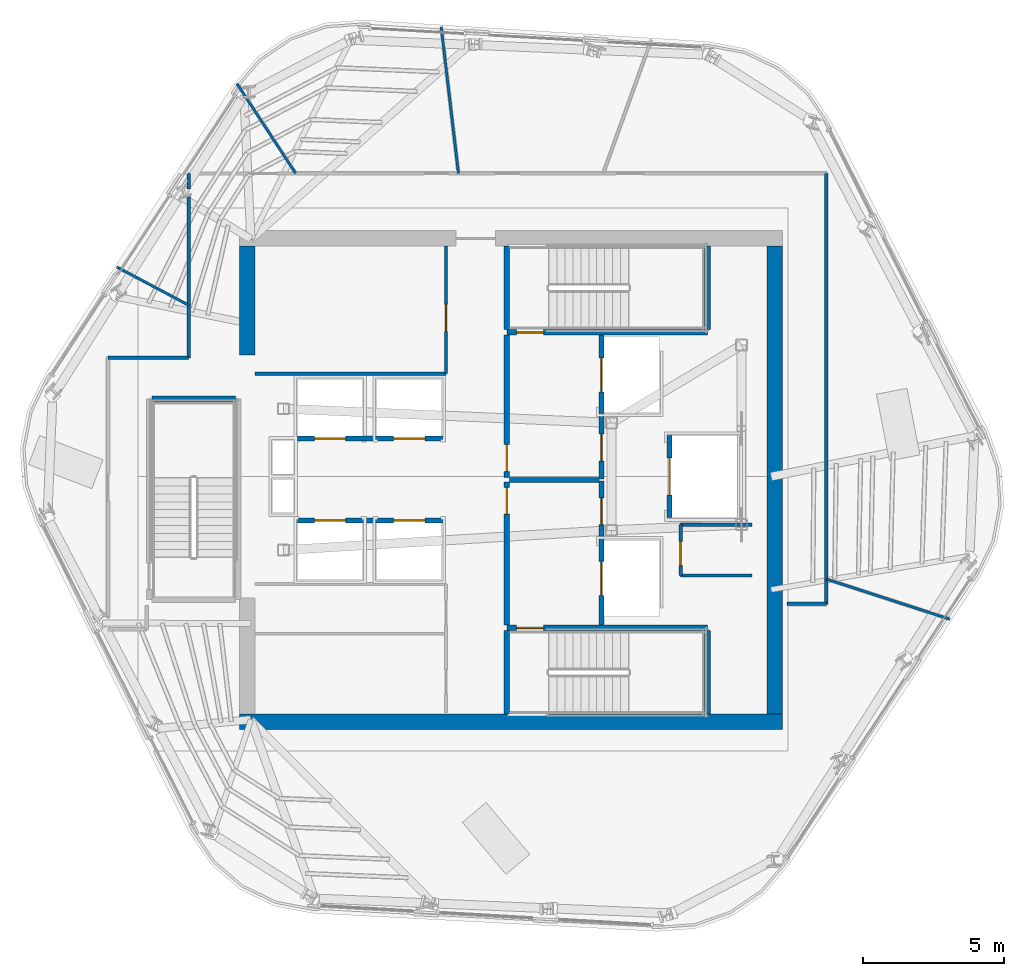
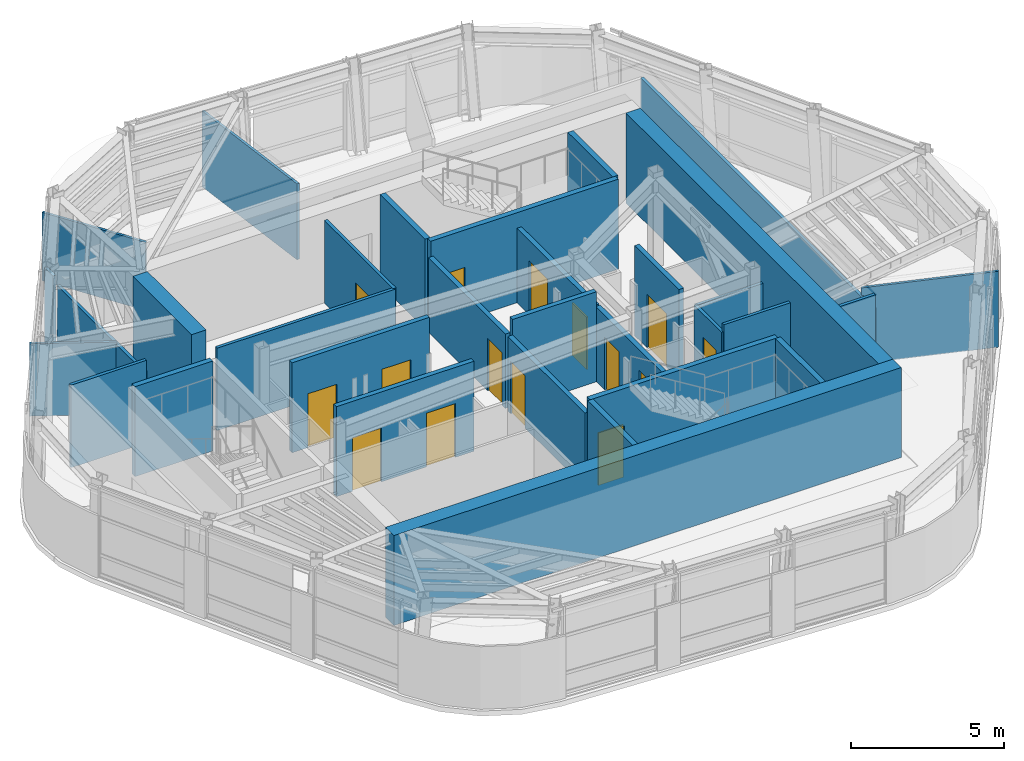
# One storey, part 7 of 13: 32 walls, 15 doors, 15 openings.
"""IFC4 building model written with IfcOpenShell, lengths in metres."""

import ifcopenshell
import ifcopenshell.guid

model = None  # the IFC model being written
_history = None  # IfcOwnerHistory: only IFC2X3 demands one
_inside = {}  # id of a spatial element -> (the spatial element, [elements in it])
_under = {}  # id of a project, library or spatial element -> (it, [spatial elements below it])
_declared = {}  # id of a project -> (the project, [libraries it declares])
_typed = {}  # id of a type object -> (the type object, [elements of that type])
_made_of = {}  # id of a material, layer set ... -> (it, [elements and type objects made of it])


def new_model(schema):
    """Start an empty IFC model of exactly this schema.

    Asked for "IFC4X3", IfcOpenShell would pick the latest addendum, in which some entities
    have other attributes; the version numbers below select the first issue.
    IFC2X3 requires an IfcOwnerHistory on every rooted entity: one is made here for all.
    """
    global model, _history
    if schema == "IFC4X3":
        model = ifcopenshell.file(schema_version=(4, 3, 0, 0))
    else:
        model = ifcopenshell.file(schema=schema)
    _inside.clear()
    _under.clear()
    _declared.clear()
    _typed.clear()
    _made_of.clear()
    _history = None
    if model.schema == "IFC2X3":
        org = make("IfcOrganization", Name="unknown")
        user = make(
            "IfcPersonAndOrganization",
            ThePerson=make("IfcPerson", FamilyName="unknown"),
            TheOrganization=org,
        )
        app = make(
            "IfcApplication",
            ApplicationDeveloper=org,
            Version="unknown",
            ApplicationFullName="unknown",
            ApplicationIdentifier="unknown",
        )
        _history = make(
            "IfcOwnerHistory",
            OwningUser=user,
            OwningApplication=app,
            ChangeAction="ADDED",
            CreationDate=0,
        )
    return model


def make(cls, **values):
    """One entity of the class cls with the attributes given. An attribute that is None is left unset."""
    return model.create_entity(
        cls, **{name: value for name, value in values.items() if value is not None}
    )


def rooted(cls, **values):
    """An entity with a GlobalId (a new one), such as an element, a storey or a relation."""
    return make(cls, GlobalId=ifcopenshell.guid.new(), OwnerHistory=_history, **values)


def si_unit(unit_type, name, prefix=None):
    """IfcSIUnit, for example si_unit("LENGTHUNIT", "METRE", prefix="MILLI")."""
    return make("IfcSIUnit", UnitType=unit_type, Prefix=prefix, Name=name)


def assignment(units):
    """IfcUnitAssignment: the units of a project."""
    return None if units is None else make("IfcUnitAssignment", Units=units)


def point(xyz):
    """IfcCartesianPoint."""
    return None if xyz is None else make("IfcCartesianPoint", Coordinates=xyz)


def direction(xyz):
    """IfcDirection."""
    return None if xyz is None else make("IfcDirection", DirectionRatios=xyz)


def frame(location, z_axis=None, x_axis=None):
    """IfcAxis2Placement3D, a coordinate frame: its origin and axes. An axis left out is left unset."""
    return make(
        "IfcAxis2Placement3D",
        Location=point(location),
        Axis=direction(z_axis),
        RefDirection=direction(x_axis),
    )


def frame_2d(location, x_axis=None):
    """IfcAxis2Placement2D, a coordinate frame in the plane: its origin and x axis."""
    return make(
        "IfcAxis2Placement2D", Location=point(location), RefDirection=direction(x_axis)
    )


def origin():
    """The frame at (0, 0, 0) with its axes left unset."""
    return frame((0.0, 0.0, 0.0))


def place(relative_to, where):
    """IfcLocalPlacement: puts the frame where relative to a parent placement (None: the world)."""
    return make(
        "IfcLocalPlacement", PlacementRelTo=relative_to, RelativePlacement=where
    )


def context(
    kind, dimensions, precision=None, world=None, true_north=None, identifier=None
):
    """IfcGeometricRepresentationContext, for example the 3D "Model" context."""
    return make(
        "IfcGeometricRepresentationContext",
        ContextIdentifier=identifier,
        ContextType=kind,
        CoordinateSpaceDimension=dimensions,
        Precision=precision,
        WorldCoordinateSystem=world,
        TrueNorth=true_north,
    )


def subcontext(parent, identifier, kind, view, scale=None):
    """IfcGeometricRepresentationSubContext, for example "Body" below "Model"."""
    return make(
        "IfcGeometricRepresentationSubContext",
        ContextIdentifier=identifier,
        ContextType=kind,
        ParentContext=parent,
        TargetScale=scale,
        TargetView=view,
    )


def project(units=None, contexts=None):
    """IfcProject with its units and contexts."""
    return rooted(
        "IfcProject",
        Name="project",
        RepresentationContexts=contexts,
        UnitsInContext=assignment(units),
    )


def spatial(cls, under=None, at=None, **own):
    """A site, building, storey or space (cls), placed at a placement, below another one or the project."""
    s = rooted(cls, ObjectPlacement=at, **own)
    if under is not None:
        _under.setdefault(under.id(), (under, []))[1].append(s)
    return s


def profile(cls, at=None, kind="AREA", **sizes):
    """A parametric profile (cls). Its sizes go by their IFC names, for example OverallWidth=200.0."""
    return make(cls, ProfileType=kind, Position=at, **sizes)


def rectangle(**sizes):
    """IfcRectangleProfileDef."""
    return profile("IfcRectangleProfileDef", **sizes)


def extrude(swept, where, along, depth):
    """IfcExtrudedAreaSolid: the profile swept, set in the frame where, extruded along a direction by depth."""
    return make(
        "IfcExtrudedAreaSolid",
        SweptArea=swept,
        Position=where,
        ExtrudedDirection=direction(along),
        Depth=depth,
    )


def shape(context_of_items, identifier, shape_type, items):
    """IfcShapeRepresentation: the items that make up one representation, for example the "Body"."""
    return make(
        "IfcShapeRepresentation",
        ContextOfItems=context_of_items,
        RepresentationIdentifier=identifier,
        RepresentationType=shape_type,
        Items=items,
    )


def material(Name=None, Category=None):
    """IfcMaterial."""
    return make("IfcMaterial", Name=Name, Category=Category)


def layer(
    of_material, thickness, ventilated=None, Name=None, Category=None, Priority=None
):
    """IfcMaterialLayer: one layer of a wall or slab, of a material (None: an air gap)."""
    return make(
        "IfcMaterialLayer",
        Material=of_material,
        LayerThickness=thickness,
        IsVentilated=ventilated,
        Name=Name,
        Category=Category,
        Priority=Priority,
    )


def layer_set(layers, Name=None):
    """IfcMaterialLayerSet."""
    return make("IfcMaterialLayerSet", MaterialLayers=layers, LayerSetName=Name)


def made_of(thing, what):
    """Note that an element or type object is made of a material, layer set ...; save() writes the relation."""
    if what is not None:
        _made_of.setdefault(what.id(), (what, []))[1].append(thing)
    return thing


def type_object(cls, material=None, **own):
    """A type object (cls), such as IfcWallType, which elements share."""
    return made_of(rooted(cls, **own), material)


def element(
    cls,
    number,
    at=None,
    inside=None,
    cuts=None,
    type_object=None,
    material=None,
    context=None,
    identifier="Body",
    shape_type=None,
    held_by="IfcProductDefinitionShape",
    body=None,
    shapes=None,
    **own,
):
    """One element of the class cls, such as IfcWall. Its Tag is "e" and its number.

    at: its placement. inside: the storey or other place that contains it. cuts: it is an
    opening in that element (IfcRelVoidsElement). A single representation is given by context,
    identifier, shape_type and body (its items); several are given by shapes. held_by: the class
    of the entity that holds the representations. save() writes the other relations.
    """
    e = rooted(cls, Tag="e%d" % number, ObjectPlacement=at, **own)
    if body is not None:
        shapes = [shape(context, identifier, shape_type, body)]
    if shapes is not None:
        e.Representation = make(held_by, Representations=shapes)
    if inside is not None:
        _inside.setdefault(inside.id(), (inside, []))[1].append(e)
    if cuts is not None:
        rooted(
            "IfcRelVoidsElement", RelatingBuildingElement=cuts, RelatedOpeningElement=e
        )
    if type_object is not None:
        _typed.setdefault(type_object.id(), (type_object, []))[1].append(e)
    return made_of(e, material)


def fill(opening, filler):
    """IfcRelFillsElement: the door or window that sits in an opening."""
    return rooted(
        "IfcRelFillsElement",
        RelatingOpeningElement=opening,
        RelatedBuildingElement=filler,
    )


def aggregate(whole, parts):
    """IfcRelAggregates: a whole, such as a stair, and the parts it consists of."""
    return rooted("IfcRelAggregates", RelatingObject=whole, RelatedObjects=parts)


def save(model, path):
    """Write the relations noted so far, then the file.

    IfcRelAggregates (storeys below a building ...), IfcRelContainedInSpatialStructure (elements
    in a storey), IfcRelDefinesByType, IfcRelAssociatesMaterial and IfcRelDeclares: one each for
    every whole, place, type object, material and project.
    """
    for whole, parts in _under.values():
        aggregate(whole, parts)
    for where, things in _inside.values():
        rooted(
            "IfcRelContainedInSpatialStructure",
            RelatedElements=things,
            RelatingStructure=where,
        )
    for kind, things in _typed.values():
        rooted("IfcRelDefinesByType", RelatedObjects=things, RelatingType=kind)
    for what, things in _made_of.values():
        rooted("IfcRelAssociatesMaterial", RelatedObjects=things, RelatingMaterial=what)
    for by, libraries in _declared.values():
        rooted("IfcRelDeclares", RelatingContext=by, RelatedDefinitions=libraries)
    model.write(path)


model = new_model("IFC4")

# Units and contexts
model_context = context("Model", 3, precision=1e-05, world=origin(), true_north=direction((0.0, 1.0)))
body_context = subcontext(model_context, "Body", "Model", "MODEL_VIEW")
ifc_project = project(units=[si_unit("LENGTHUNIT", "METRE"), si_unit("AREAUNIT", "SQUARE_METRE"), si_unit("VOLUMEUNIT", "CUBIC_METRE"), si_unit("PLANEANGLEUNIT", "RADIAN"), si_unit("MASSUNIT", "GRAM", prefix="KILO")], contexts=[model_context])

# Site, building, storey
site_placement = place(None, origin())
site = spatial("IfcSite", under=ifc_project, at=site_placement, CompositionType="ELEMENT")
building_placement = place(site_placement, origin())
building = spatial("IfcBuilding", under=site, at=building_placement, Name="Valkerne Bourse Tower", CompositionType="ELEMENT")
storey_placement = place(building_placement, frame((0.0, 0.0, 269.800048828125)))
storey = spatial("IfcBuildingStorey", under=building, at=storey_placement, Name="L68", CompositionType="ELEMENT", Elevation=269.800048828125)

# Walls
ifc_material_1 = material(Name="Concrete C55/67", Category="concrete")
ifc_layer_1 = layer(ifc_material_1, 0.550048828125)
ifc_layer_set_1 = layer_set([ifc_layer_1], Name="Concrete C55/67")
wall_type_1 = type_object("IfcWallType", Name="W-CORE-550", PredefinedType="SHEAR", material=ifc_layer_set_1)
wall_1_placement = place(storey_placement, frame((37.199951171875, 18.324951171875, 0.0), z_axis=(0.0, 0.0, 1.0), x_axis=(1.0, 0.0, 0.0)))
element("IfcWall", 1, at=wall_1_placement, inside=storey, type_object=wall_type_1, Name="L68 Core Shear Wall SOUTH", PredefinedType="SHEAR", context=body_context, shape_type="SweptSolid", body=[
    extrude(rectangle(XDim=19.199951171875, YDim=0.550048828125, at=frame_2d((9.60009765625, 0.0))), origin(), (0.0, 0.0, 1.0), 3.599853515625),
])
wall_2_placement = place(storey_placement, frame((56.125, 18.60009765625, 0.0), z_axis=(0.0, 0.0, 1.0), x_axis=(0.0, 1.0, 0.0)))
element("IfcWall", 2, at=wall_2_placement, inside=storey, type_object=wall_type_1, Name="L68 Core Shear Wall EAST", PredefinedType="SHEAR", context=body_context, shape_type="SweptSolid", body=[
    extrude(rectangle(XDim=16.5498046875, YDim=0.550048828125, at=frame_2d((8.27490234375, 0.0))), origin(), (0.0, 0.0, 1.0), 3.599853515625),
])
wall_3_placement = place(storey_placement, frame((37.47509765625, 31.300048828125, 0.0), z_axis=(0.0, 0.0, 1.0), x_axis=(0.0, 1.0, 0.0)))
element("IfcWall", 3, at=wall_3_placement, inside=storey, type_object=wall_type_1, Name="L68 Core Shear Wall WEST-N", PredefinedType="SHEAR", context=body_context, shape_type="SweptSolid", body=[
    extrude(rectangle(XDim=3.849853515625, YDim=0.550048828125, at=frame_2d((1.9248046875, 0.0))), origin(), (0.0, 0.0, 1.0), 3.599853515625),
])

# Wall, opening, door
ifc_material_2 = material(Name="Gypsum Board Steel-Stud Partition", Category="steel")
ifc_layer_2 = layer(ifc_material_2, 0.117919921875)
ifc_layer_set_2 = layer_set([ifc_layer_2], Name="Gypsum Board Steel-Stud Partition")
wall_type_2 = type_object("IfcWallType", Name="W-CORR-140", PredefinedType="PARTITIONING", material=ifc_layer_set_2)
wall_4_placement = place(storey_placement, frame((44.5, 30.639892578125, 0.0), z_axis=(0.0, 0.0, 1.0), x_axis=(0.0, 1.0, 0.0)))
wall_4 = element("IfcWall", 4, at=wall_4_placement, inside=storey, type_object=wall_type_2, Name="L68 LV7 Mid-Bank East Wall", PredefinedType="PARTITIONING", context=body_context, shape_type="SweptSolid", body=[
    extrude(rectangle(XDim=4.510009765625, YDim=0.117919921875, at=frame_2d((2.2548828125, 0.0))), origin(), (0.0, 0.0, 1.0), 3.300048828125),
])
opening_1_placement = place(wall_4_placement, frame((1.5, 0.0, 0.0)))
opening_1 = element("IfcOpeningElement", 5, at=opening_1_placement, cuts=wall_4, Name="Opening D-SV-950", PredefinedType="OPENING", context=body_context, shape_type="SweptSolid", body=[
    extrude(rectangle(XDim=0.949951171875, YDim=2.050048828125, at=frame_2d((0.47509765625, 1.02490234375))), frame((0.0, 0.06884765625, 0.0), z_axis=(0.0, -1.0, 0.0), x_axis=(1.0, 0.0, 0.0)), (0.0, 0.0, 1.0), 0.137939453125),
])
ifc_material_3 = material(Name="Galvanised Painted Steel", Category="steel")
door_type_1 = type_object("IfcDoorType", Name="DR-SRV-950", OperationType="NOTDEFINED", PredefinedType="DOOR", material=ifc_material_3)
door_1_placement = place(opening_1_placement, origin())
door_1 = element("IfcDoor", 6, at=door_1_placement, inside=storey, type_object=door_type_1, Name="L68 Executive Treasury Conference Door", OperationType="SINGLE_SWING_RIGHT", OverallHeight=2.050048828125, OverallWidth=0.949951171875, PredefinedType="DOOR", context=body_context, shape_type="SweptSolid", body=[
    extrude(rectangle(XDim=0.949951171875, YDim=2.050048828125, at=frame_2d((0.47509765625, 1.02490234375))), frame((0.0, 0.02490234375, 0.0), z_axis=(0.0, -1.0, 0.0), x_axis=(1.0, 0.0, 0.0)), (0.0, 0.0, 1.0), 0.050048828125),
])
fill(opening_1, door_1)

# Wall
wall_5_placement = place(storey_placement, frame((37.75, 30.639892578125, 0.0), z_axis=(0.0, 0.0, 1.0), x_axis=(1.0, 0.0, 0.0)))
element("IfcWall", 7, at=wall_5_placement, inside=storey, type_object=wall_type_2, Name="L68 LV7 Mid-Bank South Wall", PredefinedType="PARTITIONING", context=body_context, shape_type="SweptSolid", body=[
    extrude(rectangle(XDim=6.75, YDim=0.117919921875, at=frame_2d((3.375, 0.0))), origin(), (0.0, 0.0, 1.0), 3.300048828125),
])

# Wall, opening, door
wall_6_placement = place(storey_placement, frame((52.800048828125, 23.5, 0.0), z_axis=(0.0, 0.0, 1.0), x_axis=(0.0, 1.0, 0.0)))
wall_6 = element("IfcWall", 8, at=wall_6_placement, inside=storey, type_object=wall_type_2, Name="L68 Core SE North-Bay West Wall", PredefinedType="PARTITIONING", context=body_context, shape_type="SweptSolid", body=[
    extrude(rectangle(XDim=1.800048828125, YDim=0.117919921875, at=frame_2d((0.89990234375, 0.0))), origin(), (0.0, 0.0, 1.0), 2.977783203125),
])
opening_2_placement = place(wall_6_placement, frame((0.35009765625, 0.0, 0.0)))
opening_2 = element("IfcOpeningElement", 9, at=opening_2_placement, cuts=wall_6, Name="Opening D-WC-900", PredefinedType="OPENING", context=body_context, shape_type="SweptSolid", body=[
    extrude(rectangle(XDim=0.860107421875, YDim=2.050048828125, at=frame_2d((0.43017578125, 1.02490234375))), frame((0.0, 0.06884765625, 0.0), z_axis=(0.0, -1.0, 0.0), x_axis=(1.0, 0.0, 0.0)), (0.0, 0.0, 1.0), 0.137939453125),
])
ifc_material_4 = material(Name="Architectural White Oak Timber", Category="wood")
door_type_2 = type_object("IfcDoorType", Name="DR-WC-900", OperationType="NOTDEFINED", PredefinedType="DOOR", material=ifc_material_4)
door_2_placement = place(opening_2_placement, origin())
door_2 = element("IfcDoor", 10, at=door_2_placement, inside=storey, type_object=door_type_2, Name="L68 Telecom Closet Door", OperationType="SINGLE_SWING_RIGHT", OverallHeight=2.050048828125, OverallWidth=0.860107421875, PredefinedType="DOOR", context=body_context, shape_type="SweptSolid", body=[
    extrude(rectangle(XDim=0.860107421875, YDim=2.050048828125, at=frame_2d((0.43017578125, 1.02490234375))), frame((0.0, 0.02490234375, 0.0), z_axis=(0.0, -1.0, 0.0), x_axis=(1.0, 0.0, 0.0)), (0.0, 0.0, 1.0), 0.050048828125),
])
fill(opening_2, door_2)

# Walls
wall_7_placement = place(storey_placement, frame((52.800048828125, 23.5, 0.0), z_axis=(0.0, 0.0, 1.0), x_axis=(1.0, 0.0, 0.0)))
element("IfcWall", 11, at=wall_7_placement, inside=storey, type_object=wall_type_2, Name="L68 Core SE North-Bay South Wall", PredefinedType="PARTITIONING", context=body_context, shape_type="SweptSolid", body=[
    extrude(rectangle(XDim=2.52001953125, YDim=0.117919921875, at=frame_2d((1.260009765625, 0.0))), origin(), (0.0, 0.0, 1.0), 3.300048828125),
])
wall_8_placement = place(storey_placement, frame((52.800048828125, 25.300048828125, 0.0), z_axis=(0.0, 0.0, 1.0), x_axis=(1.0, 0.0, 0.0)))
element("IfcWall", 12, at=wall_8_placement, inside=storey, type_object=wall_type_2, Name="L68 Core SE North-Bay North Wall", PredefinedType="PARTITIONING", context=body_context, shape_type="SweptSolid", body=[
    extrude(rectangle(XDim=2.52001953125, YDim=0.117919921875, at=frame_2d((1.260009765625, 0.0))), origin(), (0.0, 0.0, 1.0), 2.977783203125),
])
wall_9_placement = place(storey_placement, frame((35.39990234375, 31.199951171875, 0.0), z_axis=(0.0, 0.0, 1.0), x_axis=(0.0, 1.0, 0.0)))
element("IfcWall", 13, at=wall_9_placement, inside=storey, type_object=wall_type_2, Name="L68 Corridor Enclosure Wall", PredefinedType="PARTITIONING", context=body_context, shape_type="SweptSolid", body=[
    extrude(rectangle(XDim=5.70263671875, YDim=0.117919921875, at=frame_2d((2.851318359375, 0.0))), origin(), (0.0, 0.0, 1.0), 2.8203125),
])
wall_10_placement = place(storey_placement, frame((35.39990234375, 37.1650390625, 0.0), z_axis=(0.0, 0.0, 1.0), x_axis=(0.0, 1.0, 0.0)))
element("IfcWall", 14, at=wall_10_placement, inside=storey, type_object=wall_type_2, Name="L68 Corridor Enclosure Wall", PredefinedType="PARTITIONING", context=body_context, shape_type="SweptSolid", body=[
    extrude(rectangle(XDim=0.554931640625, YDim=0.117919921875, at=frame_2d((0.27734375, 0.0))), origin(), (0.0, 0.0, 1.0), 3.0361328125),
])
wall_11_placement = place(storey_placement, frame((57.949951171875, 37.719970703125, 0.0), z_axis=(0.0, 0.0, 1.0), x_axis=(0.0, -1.0, 0.0)))
element("IfcWall", 15, at=wall_11_placement, inside=storey, type_object=wall_type_2, Name="L68 Corridor Enclosure Wall", PredefinedType="PARTITIONING", context=body_context, shape_type="SweptSolid", body=[
    extrude(rectangle(XDim=15.219970703125, YDim=0.117919921875, at=frame_2d((7.60986328125, 0.0))), origin(), (0.0, 0.0, 1.0), 2.7314453125),
])
wall_12_placement = place(storey_placement, frame((57.949951171875, 22.5, 0.0), z_axis=(0.0, 0.0, 1.0), x_axis=(-1.0, 0.0, 0.0)))
element("IfcWall", 16, at=wall_12_placement, inside=storey, type_object=wall_type_2, Name="L68 Corridor Enclosure Wall", PredefinedType="PARTITIONING", context=body_context, shape_type="SweptSolid", body=[
    extrude(rectangle(XDim=1.389892578125, YDim=0.117919921875, at=frame_2d((0.69482421875, 0.0))), origin(), (0.0, 0.0, 1.0), 3.300048828125),
])
wall_13_placement = place(storey_placement, frame((32.550048828125, 31.199951171875, 0.0), z_axis=(0.0, 0.0, 1.0), x_axis=(1.0, 0.0, 0.0)))
element("IfcWall", 17, at=wall_13_placement, inside=storey, type_object=wall_type_2, Name="L68 Corridor Enclosure Wall", PredefinedType="PARTITIONING", context=body_context, shape_type="SweptSolid", body=[
    extrude(rectangle(XDim=2.849853515625, YDim=0.117919921875, at=frame_2d((1.4248046875, 0.0))), origin(), (0.0, 0.0, 1.0), 3.300048828125),
])
ifc_material_5 = material(Name="Gypsum Fire-Rated Shaftwall", Category="gypsum")
ifc_layer_3 = layer(ifc_material_5, 0.179931640625)
ifc_layer_set_3 = layer_set([ifc_layer_3], Name="Gypsum Fire-Rated Shaftwall")
wall_type_3 = type_object("IfcWallType", Name="W-FSAE-180", PredefinedType="PARTITIONING", material=ifc_layer_set_3)
wall_14_placement = place(storey_placement, frame((46.739990234375, 26.8798828125, 0.0), z_axis=(0.0, 0.0, 1.0), x_axis=(1.0, 0.0, 0.0)))
element("IfcWall", 18, at=wall_14_placement, inside=storey, type_object=wall_type_3, Name="L68 FSAE-1/2 Lobby Dividing Fire Wall", PredefinedType="PARTITIONING", context=body_context, shape_type="SweptSolid", body=[
    extrude(rectangle(XDim=3.169921875, YDim=0.179931640625, at=frame_2d((1.5849609375, 0.0))), origin(), (0.0, 0.0, 1.0), 3.599853515625),
])

# Wall, opening, door
wall_15_placement = place(storey_placement, frame((46.64990234375, 21.75, 0.0), z_axis=(0.0, 0.0, 1.0), x_axis=(0.0, 1.0, 0.0)))
wall_15 = element("IfcWall", 19, at=wall_15_placement, inside=storey, type_object=wall_type_3, Name="L68 FSAE-1 Lobby West Fire Wall", PredefinedType="PARTITIONING", context=body_context, shape_type="SweptSolid", body=[
    extrude(rectangle(XDim=5.050048828125, YDim=0.179931640625, at=frame_2d((2.52490234375, 0.0))), origin(), (0.0, 0.0, 1.0), 2.977783203125),
])
opening_3_placement = place(wall_15_placement, frame((3.919921875, 0.0, 0.0)))
opening_3 = element("IfcOpeningElement", 20, at=opening_3_placement, cuts=wall_15, Name="Opening D-FS-950", PredefinedType="OPENING", context=body_context, shape_type="SweptSolid", body=[
    extrude(rectangle(XDim=0.949951171875, YDim=2.10009765625, at=frame_2d((0.47509765625, 1.050048828125))), frame((0.0, 0.099853515625, 0.0), z_axis=(0.0, -1.0, 0.0), x_axis=(1.0, 0.0, 0.0)), (0.0, 0.0, 1.0), 0.199951171875),
])
door_type_3 = type_object("IfcDoorType", Name="DR-FSAE-950", OperationType="NOTDEFINED", PredefinedType="DOOR", material=ifc_material_3)
door_3_placement = place(opening_3_placement, origin())
door_3 = element("IfcDoor", 21, at=door_3_placement, inside=storey, type_object=door_type_3, Name="L68 FSAE-1 Hall Link Fire Door", OperationType="SINGLE_SWING_RIGHT", OverallHeight=2.10009765625, OverallWidth=0.949951171875, PredefinedType="DOOR", context=body_context, shape_type="SweptSolid", body=[
    extrude(rectangle(XDim=0.949951171875, YDim=2.10009765625, at=frame_2d((0.47509765625, 1.050048828125))), frame((0.0, 0.02490234375, 0.0), z_axis=(0.0, -1.0, 0.0), x_axis=(1.0, 0.0, 0.0)), (0.0, 0.0, 1.0), 0.050048828125),
])
fill(opening_3, door_3)

wall_16_placement = place(storey_placement, frame((46.64990234375, 26.9599609375, 0.0), z_axis=(0.0, 0.0, 1.0), x_axis=(0.0, 1.0, 0.0)))
wall_16 = element("IfcWall", 22, at=wall_16_placement, inside=storey, type_object=wall_type_3, Name="L68 FSAE-2 Lobby West Fire Wall", PredefinedType="PARTITIONING", context=body_context, shape_type="SweptSolid", body=[
    extrude(rectangle(XDim=5.0400390625, YDim=0.179931640625, at=frame_2d((2.52001953125, 0.0))), origin(), (0.0, 0.0, 1.0), 2.977783203125),
])
opening_4_placement = place(wall_16_placement, frame((0.219970703125, 0.0, 0.0)))
opening_4 = element("IfcOpeningElement", 23, at=opening_4_placement, cuts=wall_16, Name="Opening D-FS-950", PredefinedType="OPENING", context=body_context, shape_type="SweptSolid", body=[
    extrude(rectangle(XDim=0.949951171875, YDim=2.10009765625, at=frame_2d((0.47509765625, 1.050048828125))), frame((0.0, 0.099853515625, 0.0), z_axis=(0.0, -1.0, 0.0), x_axis=(1.0, 0.0, 0.0)), (0.0, 0.0, 1.0), 0.199951171875),
])
door_4_placement = place(opening_4_placement, origin())
door_4 = element("IfcDoor", 24, at=door_4_placement, inside=storey, type_object=door_type_3, Name="L68 FSAE-2 Hall Link Fire Door", OperationType="SINGLE_SWING_RIGHT", OverallHeight=2.10009765625, OverallWidth=0.949951171875, PredefinedType="DOOR", context=body_context, shape_type="SweptSolid", body=[
    extrude(rectangle(XDim=0.949951171875, YDim=2.10009765625, at=frame_2d((0.47509765625, 1.050048828125))), frame((0.0, 0.02490234375, 0.0), z_axis=(0.0, -1.0, 0.0), x_axis=(1.0, 0.0, 0.0)), (0.0, 0.0, 1.0), 0.050048828125),
])
fill(opening_4, door_4)

# Wall, openings, doors
wall_17_placement = place(storey_placement, frame((50.0, 21.75, 0.0), z_axis=(0.0, 0.0, 1.0), x_axis=(0.0, 1.0, 0.0)))
wall_17 = element("IfcWall", 25, at=wall_17_placement, inside=storey, type_object=wall_type_3, Name="L68 FSAE-1 Lobby & Shaft Front Wall", PredefinedType="PARTITIONING", context=body_context, shape_type="SweptSolid", body=[
    extrude(rectangle(XDim=5.090087890625, YDim=0.179931640625, at=frame_2d((2.544921875, 0.0))), origin(), (0.0, 0.0, 1.0), 2.977783203125),
])
opening_5_placement = place(wall_17_placement, frame((1.050048828125, 0.0, 0.0)))
opening_5 = element("IfcOpeningElement", 26, at=opening_5_placement, cuts=wall_17, Name="Opening LD-1200", PredefinedType="OPENING", context=body_context, shape_type="SweptSolid", body=[
    extrude(rectangle(XDim=1.199951171875, YDim=2.14990234375, at=frame_2d((0.60009765625, 1.074951171875))), frame((0.0, 0.099853515625, 0.0), z_axis=(0.0, -1.0, 0.0), x_axis=(1.0, 0.0, 0.0)), (0.0, 0.0, 1.0), 0.199951171875),
])
opening_6_placement = place(wall_17_placement, frame((3.550048828125, 0.0, 0.0)))
opening_6 = element("IfcOpeningElement", 27, at=opening_6_placement, cuts=wall_17, Name="Opening D-FS-950", PredefinedType="OPENING", context=body_context, shape_type="SweptSolid", body=[
    extrude(rectangle(XDim=0.949951171875, YDim=2.10009765625, at=frame_2d((0.47509765625, 1.050048828125))), frame((0.0, 0.099853515625, 0.0), z_axis=(0.0, -1.0, 0.0), x_axis=(1.0, 0.0, 0.0)), (0.0, 0.0, 1.0), 0.199951171875),
])
door_5_placement = place(opening_6_placement, origin())
door_5 = element("IfcDoor", 28, at=door_5_placement, inside=storey, type_object=door_type_3, Name="L68 FSAE-1 Lobby Corridor Fire Door", OperationType="SINGLE_SWING_RIGHT", OverallHeight=2.10009765625, OverallWidth=0.949951171875, PredefinedType="DOOR", context=body_context, shape_type="SweptSolid", body=[
    extrude(rectangle(XDim=0.949951171875, YDim=2.10009765625, at=frame_2d((0.47509765625, 1.050048828125))), frame((0.0, 0.02490234375, 0.0), z_axis=(0.0, -1.0, 0.0), x_axis=(1.0, 0.0, 0.0)), (0.0, 0.0, 1.0), 0.050048828125),
])
fill(opening_6, door_5)
ifc_material_6 = material(Name="Stainless Steel AISI 316", Category="steel")
door_type_4 = type_object("IfcDoorType", Name="DR-LIFT-1200", OperationType="DOUBLE_DOOR_SLIDING", PredefinedType="DOOR", material=ifc_material_6)
door_6_placement = place(opening_5_placement, origin())
door_6 = element("IfcDoor", 29, at=door_6_placement, inside=storey, type_object=door_type_4, Name="L68 FSAE-1 Firefighting Lift Landing Door", OperationType="DOUBLE_DOOR_SLIDING", OverallHeight=2.14990234375, OverallWidth=1.199951171875, PredefinedType="DOOR", context=body_context, shape_type="SweptSolid", body=[
    extrude(rectangle(XDim=1.199951171875, YDim=2.14990234375, at=frame_2d((0.60009765625, 1.074951171875))), frame((0.0, 0.02490234375, 0.0), z_axis=(0.0, -1.0, 0.0), x_axis=(1.0, 0.0, 0.0)), (0.0, 0.0, 1.0), 0.050048828125),
])
fill(opening_5, door_6)

wall_18_placement = place(storey_placement, frame((50.0, 26.919921875, 0.0), z_axis=(0.0, 0.0, 1.0), x_axis=(0.0, 1.0, 0.0)))
wall_18 = element("IfcWall", 30, at=wall_18_placement, inside=storey, type_object=wall_type_3, Name="L68 FSAE-2 Lobby & Shaft Front Wall", PredefinedType="PARTITIONING", context=body_context, shape_type="SweptSolid", body=[
    extrude(rectangle(XDim=5.080078125, YDim=0.179931640625, at=frame_2d((2.5400390625, 0.0))), origin(), (0.0, 0.0, 1.0), 2.977783203125),
])
opening_7_placement = place(wall_18_placement, frame((3.080078125, 0.0, 0.0)))
opening_7 = element("IfcOpeningElement", 31, at=opening_7_placement, cuts=wall_18, Name="Opening LD-1200", PredefinedType="OPENING", context=body_context, shape_type="SweptSolid", body=[
    extrude(rectangle(XDim=1.199951171875, YDim=2.14990234375, at=frame_2d((0.60009765625, 1.074951171875))), frame((0.0, 0.099853515625, 0.0), z_axis=(0.0, -1.0, 0.0), x_axis=(1.0, 0.0, 0.0)), (0.0, 0.0, 1.0), 0.199951171875),
])
opening_8_placement = place(wall_18_placement, frame((0.6298828125, 0.0, 0.0)))
opening_8 = element("IfcOpeningElement", 32, at=opening_8_placement, cuts=wall_18, Name="Opening D-FS-950", PredefinedType="OPENING", context=body_context, shape_type="SweptSolid", body=[
    extrude(rectangle(XDim=0.949951171875, YDim=2.10009765625, at=frame_2d((0.47509765625, 1.050048828125))), frame((0.0, 0.099853515625, 0.0), z_axis=(0.0, -1.0, 0.0), x_axis=(1.0, 0.0, 0.0)), (0.0, 0.0, 1.0), 0.199951171875),
])
door_7_placement = place(opening_8_placement, origin())
door_7 = element("IfcDoor", 33, at=door_7_placement, inside=storey, type_object=door_type_3, Name="L68 FSAE-2 Lobby Corridor Fire Door", OperationType="SINGLE_SWING_RIGHT", OverallHeight=2.10009765625, OverallWidth=0.949951171875, PredefinedType="DOOR", context=body_context, shape_type="SweptSolid", body=[
    extrude(rectangle(XDim=0.949951171875, YDim=2.10009765625, at=frame_2d((0.47509765625, 1.050048828125))), frame((0.0, 0.02490234375, 0.0), z_axis=(0.0, -1.0, 0.0), x_axis=(1.0, 0.0, 0.0)), (0.0, 0.0, 1.0), 0.050048828125),
])
fill(opening_8, door_7)
door_8_placement = place(opening_7_placement, origin())
door_8 = element("IfcDoor", 34, at=door_8_placement, inside=storey, type_object=door_type_4, Name="L68 FSAE-2 Firefighting Lift Landing Door", OperationType="DOUBLE_DOOR_SLIDING", OverallHeight=2.14990234375, OverallWidth=1.199951171875, PredefinedType="DOOR", context=body_context, shape_type="SweptSolid", body=[
    extrude(rectangle(XDim=1.199951171875, YDim=2.14990234375, at=frame_2d((0.60009765625, 1.074951171875))), frame((0.0, 0.02490234375, 0.0), z_axis=(0.0, -1.0, 0.0), x_axis=(1.0, 0.0, 0.0)), (0.0, 0.0, 1.0), 0.050048828125),
])
fill(opening_7, door_8)

# Wall, opening, door
ifc_material_7 = material(Name="CMU Blockwork Masonry 200mm", Category="masonry")
ifc_layer_4 = layer(ifc_material_7, 0.179931640625)
ifc_layer_set_4 = layer_set([ifc_layer_4], Name="CMU Blockwork Masonry 200mm")
wall_type_4 = type_object("IfcWallType", Name="W-LFT-180", PredefinedType="SOLIDWALL", material=ifc_layer_set_4)
wall_19_placement = place(storey_placement, frame((52.39990234375, 25.550048828125, 0.0), z_axis=(0.0, 0.0, 1.0), x_axis=(0.0, 1.0, 0.0)))
wall_19 = element("IfcWall", 35, at=wall_19_placement, inside=storey, type_object=wall_type_4, Name="L68 Service Lift SV-1 Front Wall", PredefinedType="SOLIDWALL", context=body_context, shape_type="SweptSolid", body=[
    extrude(rectangle(XDim=2.89990234375, YDim=0.179931640625, at=frame_2d((1.449951171875, 0.0))), origin(), (0.0, 0.0, 1.0), 3.599853515625),
])
opening_9_placement = place(wall_19_placement, frame((0.800048828125, 0.0, 0.0)))
opening_9 = element("IfcOpeningElement", 36, at=opening_9_placement, cuts=wall_19, Name="Opening LD-1300", PredefinedType="OPENING", context=body_context, shape_type="SweptSolid", body=[
    extrude(rectangle(XDim=1.300048828125, YDim=2.14990234375, at=frame_2d((0.64990234375, 1.074951171875))), frame((0.0, 0.099853515625, 0.0), z_axis=(0.0, -1.0, 0.0), x_axis=(1.0, 0.0, 0.0)), (0.0, 0.0, 1.0), 0.199951171875),
])
door_type_5 = type_object("IfcDoorType", Name="DR-LIFT-1300", OperationType="DOUBLE_DOOR_SLIDING", PredefinedType="DOOR", material=ifc_material_6)
door_9_placement = place(opening_9_placement, origin())
door_9 = element("IfcDoor", 37, at=door_9_placement, inside=storey, type_object=door_type_5, Name="L68 Service Lift SV-1 Landing Door", OperationType="DOUBLE_DOOR_SLIDING", OverallHeight=2.14990234375, OverallWidth=1.300048828125, PredefinedType="DOOR", context=body_context, shape_type="SweptSolid", body=[
    extrude(rectangle(XDim=1.300048828125, YDim=2.14990234375, at=frame_2d((0.64990234375, 1.074951171875))), frame((0.0, 0.02490234375, 0.0), z_axis=(0.0, -1.0, 0.0), x_axis=(1.0, 0.0, 0.0)), (0.0, 0.0, 1.0), 0.050048828125),
])
fill(opening_9, door_9)

# Wall, openings, doors
wall_20_placement = place(storey_placement, frame((39.25, 25.449951171875, 0.0), z_axis=(0.0, 0.0, 1.0), x_axis=(1.0, 0.0, 0.0)))
wall_20 = element("IfcWall", 38, at=wall_20_placement, inside=storey, type_object=wall_type_4, Name="L68 High-Zone South Cars Front Wall", PredefinedType="SOLIDWALL", context=body_context, shape_type="SweptSolid", body=[
    extrude(rectangle(XDim=5.199951171875, YDim=0.179931640625, at=frame_2d((2.60009765625, 0.0))), origin(), (0.0, 0.0, 1.0), 3.599853515625),
])
opening_10_placement = place(wall_20_placement, frame((0.60009765625, 0.0, 0.0)))
opening_10 = element("IfcOpeningElement", 39, at=opening_10_placement, cuts=wall_20, Name="Opening LD-1100", PredefinedType="OPENING", context=body_context, shape_type="SweptSolid", body=[
    extrude(rectangle(XDim=1.10009765625, YDim=2.14990234375, at=frame_2d((0.550048828125, 1.074951171875))), frame((0.0, 0.099853515625, 0.0), z_axis=(0.0, -1.0, 0.0), x_axis=(1.0, 0.0, 0.0)), (0.0, 0.0, 1.0), 0.199951171875),
])
opening_11_placement = place(wall_20_placement, frame((3.39990234375, 0.0, 0.0)))
opening_11 = element("IfcOpeningElement", 40, at=opening_11_placement, cuts=wall_20, Name="Opening LD-1100", PredefinedType="OPENING", context=body_context, shape_type="SweptSolid", body=[
    extrude(rectangle(XDim=1.10009765625, YDim=2.14990234375, at=frame_2d((0.550048828125, 1.074951171875))), frame((0.0, 0.099853515625, 0.0), z_axis=(0.0, -1.0, 0.0), x_axis=(1.0, 0.0, 0.0)), (0.0, 0.0, 1.0), 0.199951171875),
])
door_type_6 = type_object("IfcDoorType", Name="DR-LIFT-1100", OperationType="DOUBLE_DOOR_SLIDING", PredefinedType="DOOR", material=ifc_material_6)
door_10_placement = place(opening_10_placement, origin())
door_10 = element("IfcDoor", 41, at=door_10_placement, inside=storey, type_object=door_type_6, Name="L68 Passenger Lift PL-H1 Sliding Landing Door", OperationType="DOUBLE_DOOR_SLIDING", OverallHeight=2.14990234375, OverallWidth=1.10009765625, PredefinedType="DOOR", context=body_context, shape_type="SweptSolid", body=[
    extrude(rectangle(XDim=1.10009765625, YDim=2.14990234375, at=frame_2d((0.550048828125, 1.074951171875))), frame((0.0, 0.02490234375, 0.0), z_axis=(0.0, -1.0, 0.0), x_axis=(1.0, 0.0, 0.0)), (0.0, 0.0, 1.0), 0.050048828125),
])
fill(opening_10, door_10)
door_11_placement = place(opening_11_placement, origin())
door_11 = element("IfcDoor", 42, at=door_11_placement, inside=storey, type_object=door_type_6, Name="L68 Passenger Lift PL-H2 Sliding Landing Door", OperationType="DOUBLE_DOOR_SLIDING", OverallHeight=2.14990234375, OverallWidth=1.10009765625, PredefinedType="DOOR", context=body_context, shape_type="SweptSolid", body=[
    extrude(rectangle(XDim=1.10009765625, YDim=2.14990234375, at=frame_2d((0.550048828125, 1.074951171875))), frame((0.0, 0.02490234375, 0.0), z_axis=(0.0, -1.0, 0.0), x_axis=(1.0, 0.0, 0.0)), (0.0, 0.0, 1.0), 0.050048828125),
])
fill(opening_11, door_11)

wall_21_placement = place(storey_placement, frame((39.25, 28.35009765625, 0.0), z_axis=(0.0, 0.0, 1.0), x_axis=(1.0, 0.0, 0.0)))
wall_21 = element("IfcWall", 43, at=wall_21_placement, inside=storey, type_object=wall_type_4, Name="L68 High-Zone North Cars Front Wall", PredefinedType="SOLIDWALL", context=body_context, shape_type="SweptSolid", body=[
    extrude(rectangle(XDim=5.199951171875, YDim=0.179931640625, at=frame_2d((2.60009765625, 0.0))), origin(), (0.0, 0.0, 1.0), 3.599853515625),
])
opening_12_placement = place(wall_21_placement, frame((0.60009765625, 0.0, 0.0)))
opening_12 = element("IfcOpeningElement", 44, at=opening_12_placement, cuts=wall_21, Name="Opening LD-1100", PredefinedType="OPENING", context=body_context, shape_type="SweptSolid", body=[
    extrude(rectangle(XDim=1.10009765625, YDim=2.14990234375, at=frame_2d((0.550048828125, 1.074951171875))), frame((0.0, 0.099853515625, 0.0), z_axis=(0.0, -1.0, 0.0), x_axis=(1.0, 0.0, 0.0)), (0.0, 0.0, 1.0), 0.199951171875),
])
opening_13_placement = place(wall_21_placement, frame((3.39990234375, 0.0, 0.0)))
opening_13 = element("IfcOpeningElement", 45, at=opening_13_placement, cuts=wall_21, Name="Opening LD-1100", PredefinedType="OPENING", context=body_context, shape_type="SweptSolid", body=[
    extrude(rectangle(XDim=1.10009765625, YDim=2.14990234375, at=frame_2d((0.550048828125, 1.074951171875))), frame((0.0, 0.099853515625, 0.0), z_axis=(0.0, -1.0, 0.0), x_axis=(1.0, 0.0, 0.0)), (0.0, 0.0, 1.0), 0.199951171875),
])
door_12_placement = place(opening_12_placement, origin())
door_12 = element("IfcDoor", 46, at=door_12_placement, inside=storey, type_object=door_type_6, Name="L68 Passenger Lift PL-H3 Sliding Landing Door", OperationType="DOUBLE_DOOR_SLIDING", OverallHeight=2.14990234375, OverallWidth=1.10009765625, PredefinedType="DOOR", context=body_context, shape_type="SweptSolid", body=[
    extrude(rectangle(XDim=1.10009765625, YDim=2.14990234375, at=frame_2d((0.550048828125, 1.074951171875))), frame((0.0, 0.02490234375, 0.0), z_axis=(0.0, -1.0, 0.0), x_axis=(1.0, 0.0, 0.0)), (0.0, 0.0, 1.0), 0.050048828125),
])
fill(opening_12, door_12)
door_13_placement = place(opening_13_placement, origin())
door_13 = element("IfcDoor", 47, at=door_13_placement, inside=storey, type_object=door_type_6, Name="L68 Passenger Lift PL-H4 Sliding Landing Door", OperationType="DOUBLE_DOOR_SLIDING", OverallHeight=2.14990234375, OverallWidth=1.10009765625, PredefinedType="DOOR", context=body_context, shape_type="SweptSolid", body=[
    extrude(rectangle(XDim=1.10009765625, YDim=2.14990234375, at=frame_2d((0.550048828125, 1.074951171875))), frame((0.0, 0.02490234375, 0.0), z_axis=(0.0, -1.0, 0.0), x_axis=(1.0, 0.0, 0.0)), (0.0, 0.0, 1.0), 0.050048828125),
])
fill(opening_13, door_13)

# Walls
ifc_layer_5 = layer(ifc_material_2, 0.092041015625)
ifc_layer_set_5 = layer_set([ifc_layer_5], Name="Gypsum Board Steel-Stud Partition")
wall_type_5 = type_object("IfcWallType", Name="W-PART-115", PredefinedType="PARTITIONING", material=ifc_layer_set_5)
wall_22_placement = place(storey_placement, frame((44.940185546875, 37.72509765625, 0.0), z_axis=(0.0, 0.0, 1.0), x_axis=(-0.116700070893, 0.993167203171, 0.0)))
element("IfcWall", 48, at=wall_22_placement, inside=storey, type_object=wall_type_5, Name="L68 Suite Partition P02", PredefinedType="PARTITIONING", context=body_context, shape_type="SweptSolid", body=[
    extrude(rectangle(XDim=5.217529296875, YDim=0.092041015625, at=frame_2d((2.60888671875, 0.0))), origin(), (0.0, 0.0, 1.0), 3.0361328125),
])
wall_23_placement = place(storey_placement, frame((39.181884765625, 37.72509765625, 0.0), z_axis=(0.0, 0.0, 1.0), x_axis=(-0.547587824403, 0.836748214558, 0.0)))
element("IfcWall", 49, at=wall_23_placement, inside=storey, type_object=wall_type_5, Name="L68 Suite Partition P03", PredefinedType="PARTITIONING", context=body_context, shape_type="SweptSolid", body=[
    extrude(rectangle(XDim=3.789306640625, YDim=0.092041015625, at=frame_2d((1.89453125, 0.0))), origin(), (0.0, 0.0, 1.0), 2.7314453125),
])
wall_24_placement = place(storey_placement, frame((57.955078125, 23.37548828125, 0.0), z_axis=(0.0, 0.0, 1.0), x_axis=(0.951058676688, -0.30901034529, 0.0)))
element("IfcWall", 50, at=wall_24_placement, inside=storey, type_object=wall_type_5, Name="L68 Suite Partition P04", PredefinedType="PARTITIONING", context=body_context, shape_type="SweptSolid", body=[
    extrude(rectangle(XDim=4.5927734375, YDim=0.092041015625, at=frame_2d((2.29638671875, 0.0))), origin(), (0.0, 0.0, 1.0), 3.0361328125),
])
wall_25_placement = place(storey_placement, frame((35.39501953125, 33.064208984375, 0.0), z_axis=(0.0, 0.0, 1.0), x_axis=(-0.882967836177, 0.469433488661, 0.0)))
element("IfcWall", 51, at=wall_25_placement, inside=storey, type_object=wall_type_5, Name="L68 Suite Partition P05", PredefinedType="PARTITIONING", context=body_context, shape_type="SweptSolid", body=[
    extrude(rectangle(XDim=2.864990234375, YDim=0.092041015625, at=frame_2d((1.4326171875, 0.0))), origin(), (0.0, 0.0, 1.0), 2.896484375),
])

# Wall, opening, door
ifc_material_8 = material(Name="Concrete C40/50", Category="concrete")
ifc_layer_6 = layer(ifc_material_8, 0.199951171875)
ifc_layer_set_6 = layer_set([ifc_layer_6], Name="Concrete C40/50")
wall_type_6 = type_object("IfcWallType", Name="W-SHF-200", PredefinedType="SHEAR", material=ifc_layer_set_6)
wall_26_placement = place(storey_placement, frame((46.64990234375, 21.64990234375, 0.0), z_axis=(0.0, 0.0, 1.0), x_axis=(1.0, 0.0, 0.0)))
wall_26 = element("IfcWall", 52, at=wall_26_placement, inside=storey, type_object=wall_type_6, Name="L68 Exit Stair ST-1 Structural Shaft Wall North", PredefinedType="SHEAR", context=body_context, shape_type="SweptSolid", body=[
    extrude(rectangle(XDim=7.10009765625, YDim=0.199951171875, at=frame_2d((3.550048828125, 0.0))), origin(), (0.0, 0.0, 1.0), 3.599853515625),
])
opening_14_placement = place(wall_26_placement, frame((0.35009765625, 0.0, 0.0)))
opening_14 = element("IfcOpeningElement", 53, at=opening_14_placement, cuts=wall_26, Name="Opening D-ST-950", PredefinedType="OPENING", context=body_context, shape_type="SweptSolid", body=[
    extrude(rectangle(XDim=0.949951171875, YDim=2.10009765625, at=frame_2d((0.47509765625, 1.050048828125))), frame((0.0, 0.10986328125, 0.0), z_axis=(0.0, -1.0, 0.0), x_axis=(1.0, 0.0, 0.0)), (0.0, 0.0, 1.0), 0.219970703125),
])
door_type_7 = type_object("IfcDoorType", Name="DR-STAIR-950", OperationType="NOTDEFINED", PredefinedType="DOOR", material=ifc_material_3)
door_14_placement = place(opening_14_placement, origin())
door_14 = element("IfcDoor", 54, at=door_14_placement, inside=storey, type_object=door_type_7, Name="L68 Exit Stair ST-1 Door", OperationType="SINGLE_SWING_LEFT", OverallHeight=2.10009765625, OverallWidth=0.949951171875, PredefinedType="DOOR", context=body_context, shape_type="SweptSolid", body=[
    extrude(rectangle(XDim=0.949951171875, YDim=2.10009765625, at=frame_2d((0.47509765625, 1.050048828125))), frame((0.0, 0.02490234375, 0.0), z_axis=(0.0, -1.0, 0.0), x_axis=(1.0, 0.0, 0.0)), (0.0, 0.0, 1.0), 0.050048828125),
])
fill(opening_14, door_14)

# Walls
for number, where, z_axis, x_axis, name in (
    (55, (46.64990234375, 18.60009765625, 0.0), (0.0, 0.0, 1.0), (0.0, 1.0, 0.0), "L68 Exit Stair ST-1 Structural Shaft Wall West"),
    (56, (53.75, 18.60009765625, 0.0), (0.0, 0.0, 1.0), (0.0, 1.0, 0.0), "L68 Exit Stair ST-1 Structural Shaft Wall East"),
):
    element("IfcWall", number, at=place(storey_placement, frame(where, z_axis=z_axis, x_axis=x_axis)), inside=storey, type_object=wall_type_6, Name=name, PredefinedType="SHEAR", context=body_context, shape_type="SweptSolid", body=[
        extrude(rectangle(XDim=2.949951171875, YDim=0.199951171875, at=frame_2d((1.47509765625, 0.0))), origin(), (0.0, 0.0, 1.0), 3.599853515625),
    ])

# Wall, opening, door
wall_27_placement = place(storey_placement, frame((46.64990234375, 32.10009765625, 0.0), z_axis=(0.0, 0.0, 1.0), x_axis=(1.0, 0.0, 0.0)))
wall_27 = element("IfcWall", 57, at=wall_27_placement, inside=storey, type_object=wall_type_6, Name="L68 Exit Stair ST-2 Structural Shaft Wall South", PredefinedType="SHEAR", context=body_context, shape_type="SweptSolid", body=[
    extrude(rectangle(XDim=7.10009765625, YDim=0.199951171875, at=frame_2d((3.550048828125, 0.0))), origin(), (0.0, 0.0, 1.0), 3.599853515625),
])
opening_15_placement = place(wall_27_placement, frame((0.35009765625, 0.0, 0.0)))
opening_15 = element("IfcOpeningElement", 58, at=opening_15_placement, cuts=wall_27, Name="Opening D-ST-950", PredefinedType="OPENING", context=body_context, shape_type="SweptSolid", body=[
    extrude(rectangle(XDim=0.949951171875, YDim=2.10009765625, at=frame_2d((0.47509765625, 1.050048828125))), frame((0.0, 0.10986328125, 0.0), z_axis=(0.0, -1.0, 0.0), x_axis=(1.0, 0.0, 0.0)), (0.0, 0.0, 1.0), 0.219970703125),
])
door_15_placement = place(opening_15_placement, origin())
door_15 = element("IfcDoor", 59, at=door_15_placement, inside=storey, type_object=door_type_7, Name="L68 Exit Stair ST-2 Door", OperationType="SINGLE_SWING_LEFT", OverallHeight=2.10009765625, OverallWidth=0.949951171875, PredefinedType="DOOR", context=body_context, shape_type="SweptSolid", body=[
    extrude(rectangle(XDim=0.949951171875, YDim=2.10009765625, at=frame_2d((0.47509765625, 1.050048828125))), frame((0.0, 0.02490234375, 0.0), z_axis=(0.0, -1.0, 0.0), x_axis=(1.0, 0.0, 0.0)), (0.0, 0.0, 1.0), 0.050048828125),
])
fill(opening_15, door_15)

# Walls
for number, where, z_axis, x_axis, name in (
    (60, (46.64990234375, 32.199951171875, 0.0), (0.0, 0.0, 1.0), (0.0, 1.0, 0.0), "L68 Exit Stair ST-2 Structural Shaft Wall West"),
    (61, (53.75, 32.199951171875, 0.0), (0.0, 0.0, 1.0), (0.0, 1.0, 0.0), "L68 Exit Stair ST-2 Structural Shaft Wall East"),
    (62, (34.10009765625, 29.75, 0.0), (0.0, 0.0, 1.0), (1.0, 0.0, 0.0), "L68 Exit Stair ST-3 Structural Shaft Wall North"),
):
    element("IfcWall", number, at=place(storey_placement, frame(where, z_axis=z_axis, x_axis=x_axis)), inside=storey, type_object=wall_type_6, Name=name, PredefinedType="SHEAR", context=body_context, shape_type="SweptSolid", body=[
        extrude(rectangle(XDim=2.949951171875, YDim=0.199951171875, at=frame_2d((1.47509765625, 0.0))), origin(), (0.0, 0.0, 1.0), 3.599853515625),
    ])

save(model, "model.ifc")
